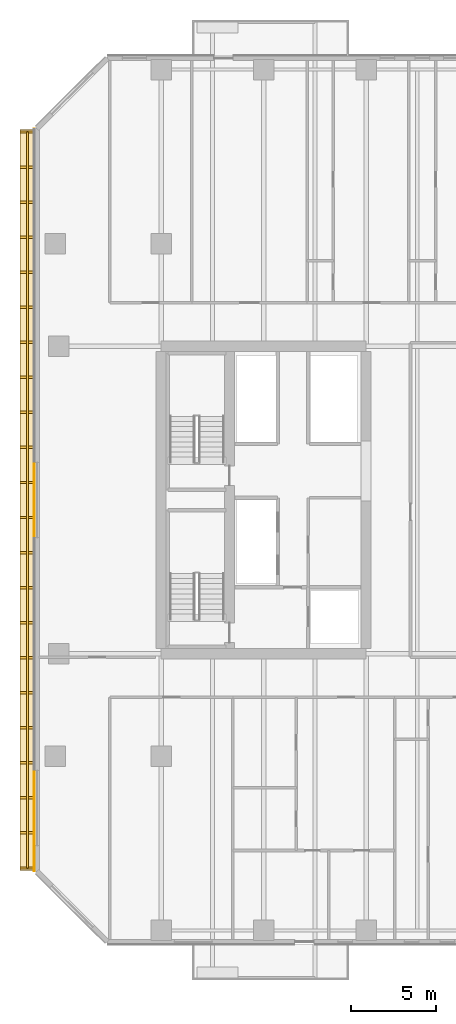
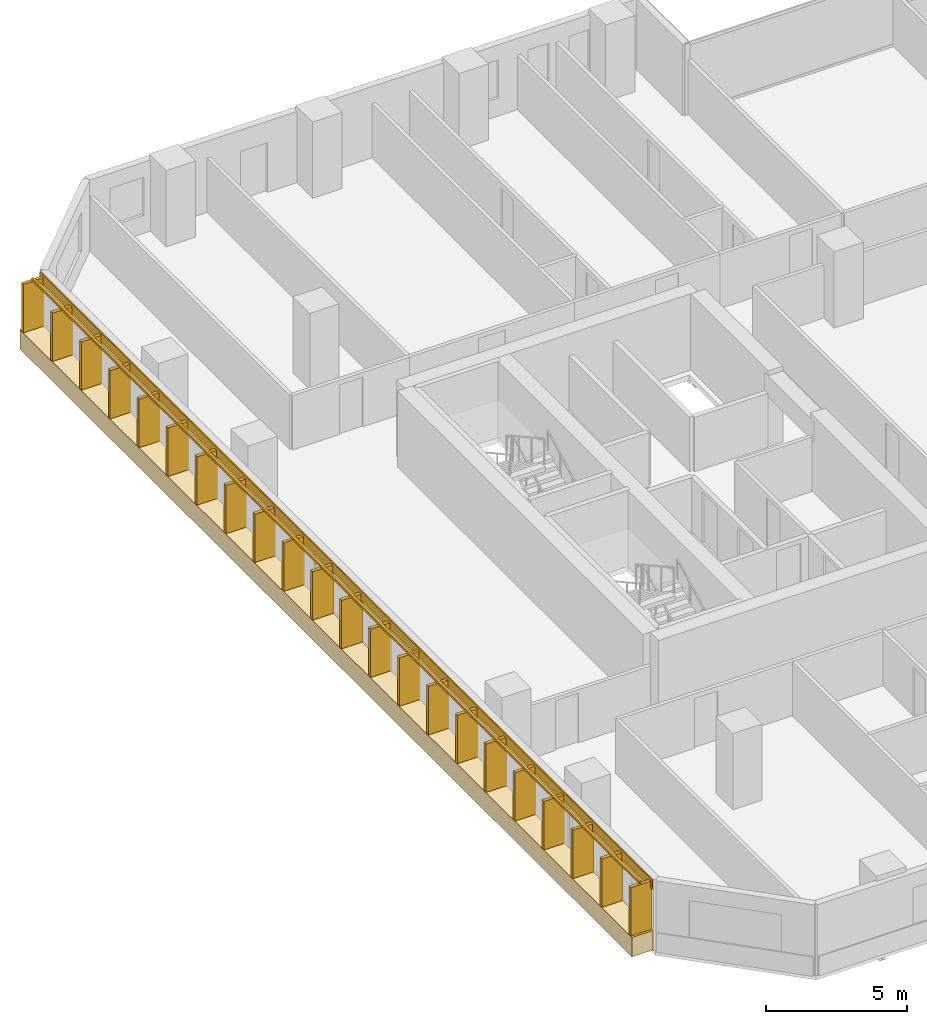
# One storey, part 19 of 26: 2 coverings, 1 railing.
"""IFC4 building model written with IfcOpenShell, lengths in metres."""

from ifc_helpers import new_model, si_unit, direction, frame, origin, origin_2d, place, context, subcontext, project, spatial, rectangle, extrude, material, layer, layer_set, type_object, element, save


model = new_model("IFC4")

# Units and contexts
model_context = context("Model", 3, precision=1e-05, world=origin(), true_north=direction((0.0, 1.0)))
body_context = subcontext(model_context, "Body", "Model", "MODEL_VIEW")
ifc_project = project(units=[si_unit("LENGTHUNIT", "METRE"), si_unit("AREAUNIT", "SQUARE_METRE"), si_unit("VOLUMEUNIT", "CUBIC_METRE"), si_unit("PLANEANGLEUNIT", "RADIAN"), si_unit("MASSUNIT", "GRAM", prefix="KILO")], contexts=[model_context])

# Site, building, storey
site_placement = place(None, origin())
site = spatial("IfcSite", under=ifc_project, at=site_placement, CompositionType="ELEMENT")
building_placement = place(site_placement, origin())
building = spatial("IfcBuilding", under=site, at=building_placement, Name="Tanjung Sevakor Pilgrim Tower", CompositionType="ELEMENT")
storey_placement = place(building_placement, frame((0.0, 0.0, 48.840087890625)))
storey = spatial("IfcBuildingStorey", under=building, at=storey_placement, Name="L13", CompositionType="ELEMENT", Elevation=48.840087890625)

# Coverings
ifc_material_1 = material(Name="Reconstructed Limestone Cladding", Category="masonry")
ifc_layer = layer(ifc_material_1, 0.044921875)
ifc_layer_set = layer_set([ifc_layer], Name="COV-CLAD-LIMESTONE")
covering_type = type_object("IfcCoveringType", Name="COV-CLAD-LIMESTONE", PredefinedType="CLADDING", material=ifc_layer_set)
covering_1_placement = place(storey_placement, frame((16.169921875, 33.60009765625, 0.009765625), z_axis=(0.0, 0.0, 1.0), x_axis=(0.0, -1.0, 0.0)))
element("IfcCovering", 1, at=covering_1_placement, inside=storey, type_object=covering_type, Name="L13 Warm Limestone Sill Spandrel EW-L13-MAIN-15-1", PredefinedType="CLADDING", context=body_context, shape_type="SweptSolid", body=[
    extrude(rectangle(XDim=43.404052734375, YDim=0.860107421875, at=origin_2d()), origin(), (0.0, 0.0, 1.0), 0.840087890625),
])
covering_2_placement = place(storey_placement, frame((16.577392578125, 33.60009765625, 2.66015625), z_axis=(0.0, 0.0, 1.0), x_axis=(0.0, -1.0, 0.0)))
element("IfcCovering", 2, at=covering_2_placement, inside=storey, type_object=covering_type, Name="L13 Warm Limestone Cornice Spandrel EW-L13-MAIN-15", PredefinedType="CLADDING", context=body_context, shape_type="SweptSolid", body=[
    extrude(rectangle(XDim=43.444091796875, YDim=0.044921875, at=origin_2d()), origin(), (0.0, 0.0, 1.0), 0.409912109375),
])

# Railing
ifc_material_2 = material(Name="Anodised Bronze Aluminium 6063-T6", Category="aluminium")
railing_type = type_object("IfcRailingType", Name="RL-FIN-SCREEN", PredefinedType="BALUSTRADE", material=ifc_material_2)
railing_placement = place(storey_placement, frame((16.175048828125, 55.14208984375, 0.83984375)))
element("IfcRailing", 3, at=railing_placement, inside=storey, type_object=railing_type, Name="L13 Vertical Bronze-Gold Solar Fin Screen FNEND-EW-L13-MAIN-15-1", PredefinedType="BALUSTRADE", context=body_context, shape_type="SweptSolid", body=[
    extrude(rectangle(XDim=0.105, YDim=0.105), frame((0.0, 0.0, 2.157470703125), z_axis=(0.0, -1.0, 0.0), x_axis=(1.0, 0.0, 0.0)), (0.0, 0.0, 1.0), 43.083984375),
    extrude(rectangle(XDim=0.85, YDim=0.14), origin(), (0.0, 0.0, 1.0), 2.10498046875),
    extrude(rectangle(XDim=0.85, YDim=0.14), frame((0.0, -2.051513671875, 0.0)), (0.0, 0.0, 1.0), 2.10498046875),
    extrude(rectangle(XDim=0.85, YDim=0.14), frame((0.0, -4.103271484375, 0.0)), (0.0, 0.0, 1.0), 2.10498046875),
    extrude(rectangle(XDim=0.85, YDim=0.14), frame((0.0, -6.15478515625, 0.0)), (0.0, 0.0, 1.0), 2.10498046875),
    extrude(rectangle(XDim=0.85, YDim=0.14), frame((0.0, -8.20654296875, 0.0)), (0.0, 0.0, 1.0), 2.10498046875),
    extrude(rectangle(XDim=0.85, YDim=0.14), frame((0.0, -10.258056640625, 0.0)), (0.0, 0.0, 1.0), 2.10498046875),
    extrude(rectangle(XDim=0.85, YDim=0.14), frame((0.0, -12.309814453125, 0.0)), (0.0, 0.0, 1.0), 2.10498046875),
    extrude(rectangle(XDim=0.85, YDim=0.14), frame((0.0, -14.361328125, 0.0)), (0.0, 0.0, 1.0), 2.10498046875),
    extrude(rectangle(XDim=0.85, YDim=0.14), frame((0.0, -16.412841796875, 0.0)), (0.0, 0.0, 1.0), 2.10498046875),
    extrude(rectangle(XDim=0.85, YDim=0.14), frame((0.0, -18.464599609375, 0.0)), (0.0, 0.0, 1.0), 2.10498046875),
    extrude(rectangle(XDim=0.85, YDim=0.14), frame((0.0, -20.51611328125, 0.0)), (0.0, 0.0, 1.0), 2.10498046875),
    extrude(rectangle(XDim=0.85, YDim=0.14), frame((0.0, -22.56787109375, 0.0)), (0.0, 0.0, 1.0), 2.10498046875),
    extrude(rectangle(XDim=0.85, YDim=0.14), frame((0.0, -24.619384765625, 0.0)), (0.0, 0.0, 1.0), 2.10498046875),
    extrude(rectangle(XDim=0.85, YDim=0.14), frame((0.0, -26.671142578125, 0.0)), (0.0, 0.0, 1.0), 2.10498046875),
    extrude(rectangle(XDim=0.85, YDim=0.14), frame((0.0, -28.72265625, 0.0)), (0.0, 0.0, 1.0), 2.10498046875),
    extrude(rectangle(XDim=0.85, YDim=0.14), frame((0.0, -30.774169921875, 0.0)), (0.0, 0.0, 1.0), 2.10498046875),
    extrude(rectangle(XDim=0.85, YDim=0.14), frame((0.0, -32.825927734375, 0.0)), (0.0, 0.0, 1.0), 2.10498046875),
    extrude(rectangle(XDim=0.85, YDim=0.14), frame((0.0, -34.87744140625, 0.0)), (0.0, 0.0, 1.0), 2.10498046875),
    extrude(rectangle(XDim=0.85, YDim=0.14), frame((0.0, -36.92919921875, 0.0)), (0.0, 0.0, 1.0), 2.10498046875),
    extrude(rectangle(XDim=0.85, YDim=0.14), frame((0.0, -38.980712890625, 0.0)), (0.0, 0.0, 1.0), 2.10498046875),
    extrude(rectangle(XDim=0.85, YDim=0.14), frame((0.0, -41.032470703125, 0.0)), (0.0, 0.0, 1.0), 2.10498046875),
    extrude(rectangle(XDim=0.85, YDim=0.14), frame((0.0, -43.083984375, 0.0)), (0.0, 0.0, 1.0), 2.10498046875),
])

save(model, "model.ifc")
